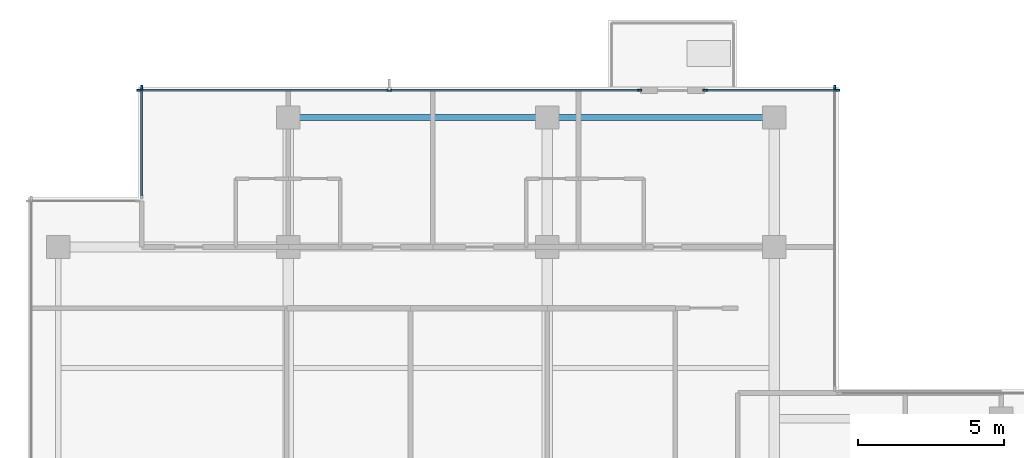
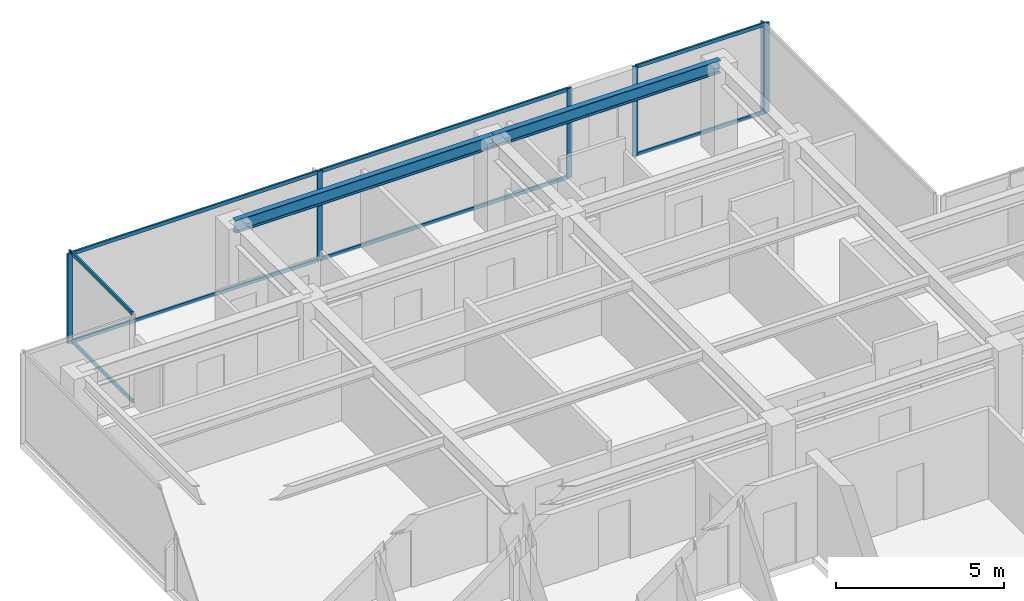
# One storey, part 4 of 11: 15 members, 2 beams, 4 elements without a shape of their own.
"""IFC4 building model written with IfcOpenShell, lengths in metres."""

from ifc_helpers import new_model, si_unit, direction, frame, origin, origin_2d, place, context, subcontext, project, spatial, rectangle, i_section, extrude, material, layer, layer_set, material_profile, profile_set, type_object, element, aggregate, save


model = new_model("IFC4")

# Units and contexts
model_context = context("Model", 3, precision=1e-05, world=origin(), true_north=direction((0.0, 1.0)))
body_context = subcontext(model_context, "Body", "Model", "MODEL_VIEW")
ifc_project = project(units=[si_unit("LENGTHUNIT", "METRE"), si_unit("AREAUNIT", "SQUARE_METRE"), si_unit("VOLUMEUNIT", "CUBIC_METRE"), si_unit("PLANEANGLEUNIT", "RADIAN"), si_unit("MASSUNIT", "GRAM", prefix="KILO")], contexts=[model_context])

# Site, building, storey
site_placement = place(None, origin())
site = spatial("IfcSite", under=ifc_project, at=site_placement, CompositionType="ELEMENT")
building_placement = place(site_placement, origin())
building = spatial("IfcBuilding", under=site, at=building_placement, Name="Qalmaran Belvedere Hotel", CompositionType="ELEMENT")
storey_placement = place(building_placement, frame((0.0, 0.0, 259.89990234375)))
storey = spatial("IfcBuildingStorey", under=building, at=storey_placement, Name="L67", CompositionType="ELEMENT", Elevation=259.89990234375)

# Beams
ifc_material_1 = material(Name="Steel S355JR", Category="steel")
ifc_material_profile_1 = material_profile(ifc_material_1, i_section(OverallWidth=0.19189453125, OverallDepth=0.462890625, WebThickness=0.010498046875, FlangeThickness=0.017578125, FilletRadius=0.01611328125, at=origin_2d()), Name="W460X89")
ifc_profile_set_1 = profile_set([ifc_material_profile_1], Name="Steel S355JR")
beam_type = type_object("IfcBeamType", Name="BM-SP2-W460X89", PredefinedType="SPANDREL", material=ifc_profile_set_1)
beam_1_placement = place(storey_placement, frame((20.300048828125, 37.449951171875, 3.028564453125), z_axis=(1.0, 0.0, 0.0), x_axis=(0.0, 1.0, 0.0)))
element("IfcBeam", 1, at=beam_1_placement, inside=storey, type_object=beam_type, Name="L67 Perimeter Spandrel 04", PredefinedType="SPANDREL", context=body_context, shape_type="SweptSolid", body=[
    extrude(i_section(OverallWidth=0.19189453125, OverallDepth=0.462890625, WebThickness=0.010498046875, FlangeThickness=0.017578125, FilletRadius=0.01611328125, at=origin_2d()), origin(), (0.0, 0.0, 1.0), 8.89990234375),
])
beam_2_placement = place(storey_placement, frame((29.199951171875, 37.449951171875, 3.028564453125), z_axis=(1.0, 0.0, 0.0), x_axis=(0.0, 1.0, 0.0)))
element("IfcBeam", 2, at=beam_2_placement, inside=storey, type_object=beam_type, Name="L67 Perimeter Spandrel 05", PredefinedType="SPANDREL", context=body_context, shape_type="SweptSolid", body=[
    extrude(i_section(OverallWidth=0.19189453125, OverallDepth=0.462890625, WebThickness=0.010498046875, FlangeThickness=0.017578125, FilletRadius=0.01611328125, at=origin_2d()), origin(), (0.0, 0.0, 1.0), 7.800048828125),
])

# Curtain wall, member
ifc_material_2 = material(Name="Anodised Bronze Aluminium", Category="aluminium")
ifc_layer = layer(ifc_material_2, 0.18505859375, Name="Anodised Bronze Aluminium")
ifc_layer_set = layer_set([ifc_layer], Name="Anodised Bronze Aluminium")
curtain_wall_type = type_object("IfcCurtainWallType", Name="CW6-TOWER-SKY", PredefinedType="NOTDEFINED", material=ifc_layer_set)
curtain_wall_1_placement = place(storey_placement, origin())
curtain_wall_1 = element("IfcCurtainWall", 3, at=curtain_wall_1_placement, inside=storey, type_object=curtain_wall_type, Name="L67 Curtain Wall CW6", PredefinedType="NOTDEFINED")
ifc_material_profile_2 = material_profile(ifc_material_2, rectangle(XDim=0.06494140625, YDim=0.1650390625, at=origin_2d()), Name="CWM65X165")
ifc_profile_set_2 = profile_set([ifc_material_profile_2], Name="Anodised Bronze Aluminium")
member_type_1 = type_object("IfcMemberType", Name="CWM-65X165", PredefinedType="MULLION", material=ifc_profile_set_2)
member_1_placement = place(storey_placement, frame((39.080078125, 38.467529296875, 0.0), z_axis=(0.0, 0.0, 1.0), x_axis=(-1.0, 0.0, 0.0)))
member_1 = element("IfcMember", 4, at=member_1_placement, type_object=member_type_1, Name="CW6 mullion 2", PredefinedType="MULLION", context=body_context, shape_type="SweptSolid", body=[
    extrude(rectangle(XDim=0.06494140625, YDim=0.1650390625, at=origin_2d()), origin(), (0.0, 0.0, 1.0), 3.260009765625),
])
aggregate(curtain_wall_1, [member_1])

# Curtain wall, members
curtain_wall_2_placement = place(storey_placement, origin())
curtain_wall_2 = element("IfcCurtainWall", 5, at=curtain_wall_2_placement, inside=storey, type_object=curtain_wall_type, Name="L67 Curtain Wall CW6", PredefinedType="NOTDEFINED")
member_2_placement = place(storey_placement, frame((32.367431640625, 38.3798828125, 0.0), z_axis=(0.0, 0.0, 1.0), x_axis=(0.0, -1.0, 0.0)))
member_2 = element("IfcMember", 6, at=member_2_placement, type_object=member_type_1, Name="CW6 mullion 1", PredefinedType="MULLION", context=body_context, shape_type="SweptSolid", body=[
    extrude(rectangle(XDim=0.06494140625, YDim=0.1650390625, at=origin_2d()), origin(), (0.0, 0.0, 1.0), 3.260009765625),
])
member_3_placement = place(storey_placement, frame((23.77490234375, 38.3798828125, 0.0), z_axis=(0.0, 0.0, 1.0), x_axis=(0.0, -1.0, 0.0)))
member_3 = element("IfcMember", 7, at=member_3_placement, type_object=member_type_1, Name="CW6 mullion 2", PredefinedType="MULLION", context=body_context, shape_type="SweptSolid", body=[
    extrude(rectangle(XDim=0.06494140625, YDim=0.1650390625, at=origin_2d()), origin(), (0.0, 0.0, 1.0), 3.260009765625),
])
member_4_placement = place(storey_placement, frame((15.1826171875, 38.3798828125, 0.0), z_axis=(0.0, 0.0, 1.0), x_axis=(0.0, -1.0, 0.0)))
member_4 = element("IfcMember", 8, at=member_4_placement, type_object=member_type_1, Name="CW6 mullion 3", PredefinedType="MULLION", context=body_context, shape_type="SweptSolid", body=[
    extrude(rectangle(XDim=0.06494140625, YDim=0.1650390625, at=origin_2d()), origin(), (0.0, 0.0, 1.0), 3.260009765625),
])

curtain_wall_3_placement = place(storey_placement, origin())
curtain_wall_3 = element("IfcCurtainWall", 9, at=curtain_wall_3_placement, inside=storey, type_object=curtain_wall_type, Name="L67 Curtain Wall CW6", PredefinedType="NOTDEFINED")
member_5_placement = place(storey_placement, frame((39.16748046875, 38.3798828125, 0.0), z_axis=(0.0, 0.0, 1.0), x_axis=(0.0, -1.0, 0.0)))
member_5 = element("IfcMember", 10, at=member_5_placement, type_object=member_type_1, Name="CW6 mullion 1", PredefinedType="MULLION", context=body_context, shape_type="SweptSolid", body=[
    extrude(rectangle(XDim=0.06494140625, YDim=0.1650390625, at=origin_2d()), origin(), (0.0, 0.0, 1.0), 3.260009765625),
])
member_6_placement = place(storey_placement, frame((34.632568359375, 38.3798828125, 0.0), z_axis=(0.0, 0.0, 1.0), x_axis=(0.0, -1.0, 0.0)))
member_6 = element("IfcMember", 11, at=member_6_placement, type_object=member_type_1, Name="CW6 mullion 2", PredefinedType="MULLION", context=body_context, shape_type="SweptSolid", body=[
    extrude(rectangle(XDim=0.06494140625, YDim=0.1650390625, at=origin_2d()), origin(), (0.0, 0.0, 1.0), 3.260009765625),
])

# Curtain wall, member
curtain_wall_4_placement = place(storey_placement, origin())
curtain_wall_4 = element("IfcCurtainWall", 12, at=curtain_wall_4_placement, inside=storey, type_object=curtain_wall_type, Name="L67 Curtain Wall CW6", PredefinedType="NOTDEFINED")
member_7_placement = place(storey_placement, frame((15.27001953125, 38.467529296875, 0.0), z_axis=(0.0, 0.0, 1.0), x_axis=(1.0, 0.0, 0.0)))
member_7 = element("IfcMember", 13, at=member_7_placement, type_object=member_type_1, Name="CW6 mullion 1", PredefinedType="MULLION", context=body_context, shape_type="SweptSolid", body=[
    extrude(rectangle(XDim=0.06494140625, YDim=0.1650390625, at=origin_2d()), origin(), (0.0, 0.0, 1.0), 3.260009765625),
])

# Member
ifc_material_profile_3 = material_profile(ifc_material_2, rectangle(XDim=0.06494140625, YDim=0.1298828125, at=origin_2d()), Name="CWT65X130")
ifc_profile_set_3 = profile_set([ifc_material_profile_3], Name="Anodised Bronze Aluminium")
member_type_2 = type_object("IfcMemberType", Name="CWT-65X130", PredefinedType="USERDEFINED", material=ifc_profile_set_3)
member_8_placement = place(storey_placement, frame((32.3349609375, 38.3798828125, 0.03271484375), z_axis=(-1.0, 0.0, 0.0), x_axis=(0.0, -1.0, 0.0)))
member_8 = element("IfcMember", 14, at=member_8_placement, type_object=member_type_2, Name="CW6 transom 1.1", ObjectType="TRANSOM", PredefinedType="USERDEFINED", context=body_context, shape_type="SweptSolid", body=[
    extrude(rectangle(XDim=0.06494140625, YDim=0.1298828125, at=origin_2d()), origin(), (0.0, 0.0, 1.0), 8.52734375),
])

member_9_placement = place(storey_placement, frame((32.3349609375, 38.3798828125, 3.2275390625), z_axis=(-1.0, 0.0, 0.0), x_axis=(0.0, -1.0, 0.0)))
member_9 = element("IfcMember", 15, at=member_9_placement, type_object=member_type_2, Name="CW6 transom 1.2", ObjectType="TRANSOM", PredefinedType="USERDEFINED", context=body_context, shape_type="SweptSolid", body=[
    extrude(rectangle(XDim=0.06494140625, YDim=0.1298828125, at=origin_2d()), origin(), (0.0, 0.0, 1.0), 8.52734375),
])

member_10_placement = place(storey_placement, frame((23.742431640625, 38.3798828125, 0.03271484375), z_axis=(-1.0, 0.0, 0.0), x_axis=(0.0, -1.0, 0.0)))
member_10 = element("IfcMember", 16, at=member_10_placement, type_object=member_type_2, Name="CW6 transom 2.1", ObjectType="TRANSOM", PredefinedType="USERDEFINED", context=body_context, shape_type="SweptSolid", body=[
    extrude(rectangle(XDim=0.06494140625, YDim=0.1298828125, at=origin_2d()), origin(), (0.0, 0.0, 1.0), 8.52734375),
])

member_11_placement = place(storey_placement, frame((23.742431640625, 38.3798828125, 3.2275390625), z_axis=(-1.0, 0.0, 0.0), x_axis=(0.0, -1.0, 0.0)))
member_11 = element("IfcMember", 17, at=member_11_placement, type_object=member_type_2, Name="CW6 transom 2.2", ObjectType="TRANSOM", PredefinedType="USERDEFINED", context=body_context, shape_type="SweptSolid", body=[
    extrude(rectangle(XDim=0.06494140625, YDim=0.1298828125, at=origin_2d()), origin(), (0.0, 0.0, 1.0), 8.52734375),
])

aggregate(curtain_wall_2, [member_2, member_3, member_4, member_8, member_9, member_10, member_11])

member_12_placement = place(storey_placement, frame((39.135009765625, 38.3798828125, 0.03271484375), z_axis=(-1.0, 0.0, 0.0), x_axis=(0.0, -1.0, 0.0)))
member_12 = element("IfcMember", 18, at=member_12_placement, type_object=member_type_2, Name="CW6 transom 1.1", ObjectType="TRANSOM", PredefinedType="USERDEFINED", context=body_context, shape_type="SweptSolid", body=[
    extrude(rectangle(XDim=0.06494140625, YDim=0.1298828125, at=origin_2d()), origin(), (0.0, 0.0, 1.0), 4.469970703125),
])

member_13_placement = place(storey_placement, frame((39.135009765625, 38.3798828125, 3.2275390625), z_axis=(-1.0, 0.0, 0.0), x_axis=(0.0, -1.0, 0.0)))
member_13 = element("IfcMember", 19, at=member_13_placement, type_object=member_type_2, Name="CW6 transom 1.2", ObjectType="TRANSOM", PredefinedType="USERDEFINED", context=body_context, shape_type="SweptSolid", body=[
    extrude(rectangle(XDim=0.06494140625, YDim=0.1298828125, at=origin_2d()), origin(), (0.0, 0.0, 1.0), 4.469970703125),
])

aggregate(curtain_wall_3, [member_5, member_6, member_12, member_13])

member_14_placement = place(storey_placement, frame((15.27001953125, 38.43505859375, 0.03271484375), z_axis=(0.0, -1.0, 0.0), x_axis=(1.0, 0.0, 0.0)))
member_14 = element("IfcMember", 20, at=member_14_placement, type_object=member_type_2, Name="CW6 transom 1.1", ObjectType="TRANSOM", PredefinedType="USERDEFINED", context=body_context, shape_type="SweptSolid", body=[
    extrude(rectangle(XDim=0.06494140625, YDim=0.1298828125, at=origin_2d()), origin(), (0.0, 0.0, 1.0), 3.670166015625),
])

member_15_placement = place(storey_placement, frame((15.27001953125, 38.43505859375, 3.2275390625), z_axis=(0.0, -1.0, 0.0), x_axis=(1.0, 0.0, 0.0)))
member_15 = element("IfcMember", 21, at=member_15_placement, type_object=member_type_2, Name="CW6 transom 1.2", ObjectType="TRANSOM", PredefinedType="USERDEFINED", context=body_context, shape_type="SweptSolid", body=[
    extrude(rectangle(XDim=0.06494140625, YDim=0.1298828125, at=origin_2d()), origin(), (0.0, 0.0, 1.0), 3.670166015625),
])

aggregate(curtain_wall_4, [member_7, member_14, member_15])

save(model, "model.ifc")
